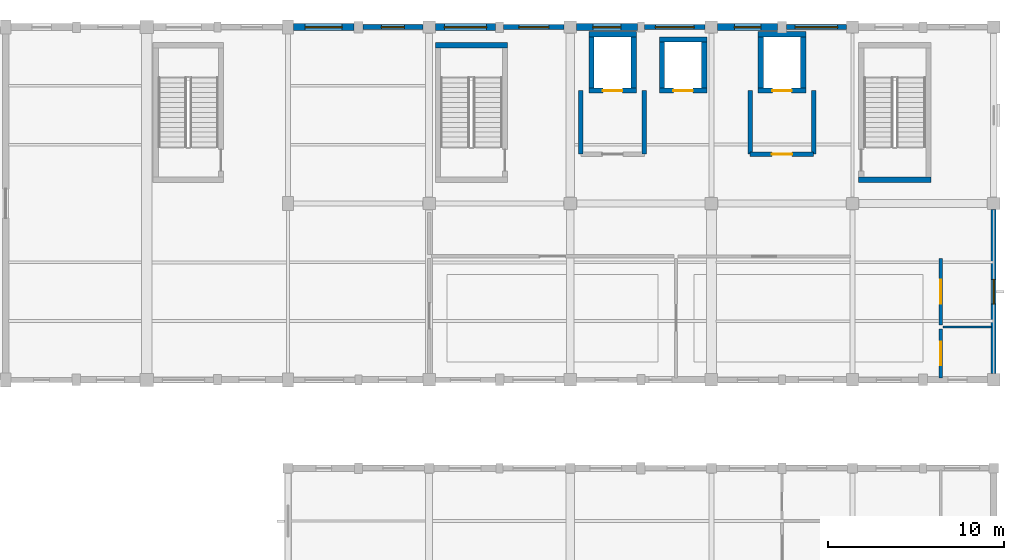
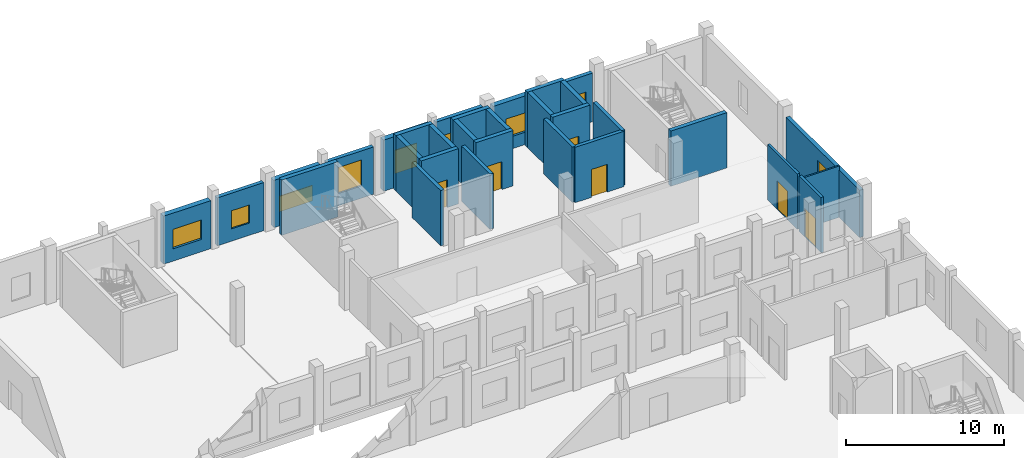
# One storey, part 50 of 77: 31 walls, 9 windows, 6 doors, 15 openings.
"""IFC4 building model written with IfcOpenShell, lengths in metres."""

from ifc_helpers import new_model, si_unit, direction, frame, frame_2d, origin, place, context, subcontext, project, spatial, rectangle, extrude, material, layer, layer_set, type_object, element, fill, save


model = new_model("IFC4")

# Units and contexts
model_context = context("Model", 3, precision=1e-05, world=origin(), true_north=direction((0.0, 1.0)))
body_context = subcontext(model_context, "Body", "Model", "MODEL_VIEW")
ifc_project = project(units=[si_unit("LENGTHUNIT", "METRE"), si_unit("AREAUNIT", "SQUARE_METRE"), si_unit("VOLUMEUNIT", "CUBIC_METRE"), si_unit("PLANEANGLEUNIT", "RADIAN"), si_unit("MASSUNIT", "GRAM", prefix="KILO")], contexts=[model_context])

# Site, building, storey
site_placement = place(None, origin())
site = spatial("IfcSite", under=ifc_project, at=site_placement, CompositionType="ELEMENT")
building_placement = place(site_placement, origin())
building = spatial("IfcBuilding", under=site, at=building_placement, Name="Luwemba Playhouse", CompositionType="ELEMENT")
storey_placement = place(building_placement, frame((0.0, 0.0, 9.300048828125)))
storey = spatial("IfcBuildingStorey", under=building, at=storey_placement, Name="L02", CompositionType="ELEMENT", Elevation=9.300048828125)

# Wall, opening, window
ifc_material_1 = material(Name="Clay facing brick obra vista masonry", Category="masonry")
ifc_layer_1 = layer(ifc_material_1, 0.3798828125)
ifc_layer_set_1 = layer_set([ifc_layer_1], Name="Clay facing brick obra vista masonry")
wall_type_1 = type_object("IfcWallType", Name="WAL-BRK-380", PredefinedType="SOLIDWALL", material=ifc_layer_set_1)
wall_1_placement = place(storey_placement, frame((132.300048828125, 115.0, 0.0), z_axis=(0.0, 0.0, 1.0), x_axis=(1.0, 0.0, 0.0)))
wall_1 = element("IfcWall", 1, at=wall_1_placement, inside=storey, type_object=wall_type_1, Name="L02 V6E exterior facade wall 0382", PredefinedType="SOLIDWALL", context=body_context, shape_type="SweptSolid", body=[
    extrude(rectangle(XDim=3.449951171875, YDim=0.3798828125, at=frame_2d((1.72509765625, 0.0))), origin(), (0.0, 0.0, 1.0), 3.704833984375),
])
opening_1_placement = place(wall_1_placement, frame((0.675048828125, 0.0, 0.949951171875)))
opening_1 = element("IfcOpeningElement", 2, at=opening_1_placement, cuts=wall_1, Name="Opening WN-11", PredefinedType="OPENING", context=body_context, shape_type="SweptSolid", body=[
    extrude(rectangle(XDim=2.10009765625, YDim=1.5, at=frame_2d((1.050048828125, 0.75))), frame((0.0, 0.199951171875, 0.0), z_axis=(0.0, -1.0, 0.0), x_axis=(1.0, 0.0, 0.0)), (0.0, 0.0, 1.0), 0.39990234375),
])
ifc_material_2 = material(Name="Solar-control double glazing in aluminium frame", Category="aluminium")
window_type_1 = type_object("IfcWindowType", Name="WIN-WN-11", PartitioningType="TRIPLE_PANEL_VERTICAL", PredefinedType="WINDOW", material=ifc_material_2)
window_1_placement = place(opening_1_placement, origin())
window_1 = element("IfcWindow", 3, at=window_1_placement, inside=storey, type_object=window_type_1, Name="L02 V6E scheduled window 0325", OverallHeight=1.5, OverallWidth=2.10009765625, PartitioningType="TRIPLE_PANEL_VERTICAL", PredefinedType="WINDOW", context=body_context, shape_type="SweptSolid", body=[
    extrude(rectangle(XDim=2.10009765625, YDim=1.5, at=frame_2d((1.050048828125, 0.75))), frame((0.0, 0.030029296875, 0.0), z_axis=(0.0, -1.0, 0.0), x_axis=(1.0, 0.0, 0.0)), (0.0, 0.0, 1.0), 0.06005859375),
])
fill(opening_1, window_1)

wall_2_placement = place(storey_placement, frame((140.35009765625, 115.0, 0.0), z_axis=(0.0, 0.0, 1.0), x_axis=(1.0, 0.0, 0.0)))
wall_2 = element("IfcWall", 4, at=wall_2_placement, inside=storey, type_object=wall_type_1, Name="L02 V6E exterior facade wall 0384", PredefinedType="SOLIDWALL", context=body_context, shape_type="SweptSolid", body=[
    extrude(rectangle(XDim=3.4248046875, YDim=0.3798828125, at=frame_2d((1.71240234375, 0.0))), origin(), (0.0, 0.0, 1.0), 3.655029296875),
])
opening_2_placement = place(wall_2_placement, frame((0.512451171875, 0.0, 0.949951171875)))
opening_2 = element("IfcOpeningElement", 5, at=opening_2_placement, cuts=wall_2, Name="Opening WN-17", PredefinedType="OPENING", context=body_context, shape_type="SweptSolid", body=[
    extrude(rectangle(XDim=2.39990234375, YDim=1.199951171875, at=frame_2d((1.199951171875, 0.60009765625))), frame((0.0, 0.199951171875, 0.0), z_axis=(0.0, -1.0, 0.0), x_axis=(1.0, 0.0, 0.0)), (0.0, 0.0, 1.0), 0.39990234375),
])
window_type_2 = type_object("IfcWindowType", Name="WIN-WN-17", PartitioningType="TRIPLE_PANEL_HORIZONTAL", PredefinedType="WINDOW", material=ifc_material_2)
window_2_placement = place(opening_2_placement, origin())
window_2 = element("IfcWindow", 6, at=window_2_placement, inside=storey, type_object=window_type_2, Name="L02 V6E scheduled window 0327", OverallHeight=1.199951171875, OverallWidth=2.39990234375, PartitioningType="TRIPLE_PANEL_HORIZONTAL", PredefinedType="WINDOW", context=body_context, shape_type="SweptSolid", body=[
    extrude(rectangle(XDim=2.39990234375, YDim=1.199951171875, at=frame_2d((1.199951171875, 0.60009765625))), frame((0.0, 0.030029296875, 0.0), z_axis=(0.0, -1.0, 0.0), x_axis=(1.0, 0.0, 0.0)), (0.0, 0.0, 1.0), 0.06005859375),
])
fill(opening_2, window_2)

wall_3_placement = place(storey_placement, frame((148.35009765625, 115.0, 0.0), z_axis=(0.0, 0.0, 1.0), x_axis=(1.0, 0.0, 0.0)))
wall_3 = element("IfcWall", 7, at=wall_3_placement, inside=storey, type_object=wall_type_1, Name="L02 V6E exterior facade wall 0386", PredefinedType="SOLIDWALL", context=body_context, shape_type="SweptSolid", body=[
    extrude(rectangle(XDim=3.449951171875, YDim=0.3798828125, at=frame_2d((1.72509765625, 0.0))), origin(), (0.0, 0.0, 1.0), 3.954833984375),
])
opening_3_placement = place(wall_3_placement, frame((0.925048828125, 0.0, 0.949951171875)))
opening_3 = element("IfcOpeningElement", 8, at=opening_3_placement, cuts=wall_3, Name="Opening WN-03", PredefinedType="OPENING", context=body_context, shape_type="SweptSolid", body=[
    extrude(rectangle(XDim=1.60009765625, YDim=1.800048828125, at=frame_2d((0.800048828125, 0.89990234375))), frame((0.0, 0.199951171875, 0.0), z_axis=(0.0, -1.0, 0.0), x_axis=(1.0, 0.0, 0.0)), (0.0, 0.0, 1.0), 0.39990234375),
])
window_type_3 = type_object("IfcWindowType", Name="WIN-WN-03", PartitioningType="DOUBLE_PANEL_VERTICAL", PredefinedType="WINDOW", material=ifc_material_2)
window_3_placement = place(opening_3_placement, origin())
window_3 = element("IfcWindow", 9, at=window_3_placement, inside=storey, type_object=window_type_3, Name="L02 V6E scheduled window 0329", OverallHeight=1.800048828125, OverallWidth=1.60009765625, PartitioningType="DOUBLE_PANEL_VERTICAL", PredefinedType="WINDOW", context=body_context, shape_type="SweptSolid", body=[
    extrude(rectangle(XDim=1.60009765625, YDim=1.800048828125, at=frame_2d((0.800048828125, 0.89990234375))), frame((0.0, 0.030029296875, 0.0), z_axis=(0.0, -1.0, 0.0), x_axis=(1.0, 0.0, 0.0)), (0.0, 0.0, 1.0), 0.06005859375),
])
fill(opening_3, window_3)

wall_4_placement = place(storey_placement, frame((156.35009765625, 115.0, 0.0), z_axis=(0.0, 0.0, 1.0), x_axis=(1.0, 0.0, 0.0)))
wall_4 = element("IfcWall", 10, at=wall_4_placement, inside=storey, type_object=wall_type_1, Name="L02 V6E exterior facade wall 0388", PredefinedType="SOLIDWALL", context=body_context, shape_type="SweptSolid", body=[
    extrude(rectangle(XDim=3.39990234375, YDim=0.3798828125, at=frame_2d((1.699951171875, 0.0))), origin(), (0.0, 0.0, 1.0), 3.7548828125),
])
opening_4_placement = place(wall_4_placement, frame((0.949951171875, 0.0, 0.949951171875)))
opening_4 = element("IfcOpeningElement", 11, at=opening_4_placement, cuts=wall_4, Name="Opening WN-09", PredefinedType="OPENING", context=body_context, shape_type="SweptSolid", body=[
    extrude(rectangle(XDim=1.5, YDim=1.5, at=frame_2d((0.75, 0.75))), frame((0.0, 0.199951171875, 0.0), z_axis=(0.0, -1.0, 0.0), x_axis=(1.0, 0.0, 0.0)), (0.0, 0.0, 1.0), 0.39990234375),
])
window_type_4 = type_object("IfcWindowType", Name="WIN-WN-09", PartitioningType="DOUBLE_PANEL_VERTICAL", PredefinedType="WINDOW", material=ifc_material_2)
window_4_placement = place(opening_4_placement, origin())
window_4 = element("IfcWindow", 12, at=window_4_placement, inside=storey, type_object=window_type_4, Name="L02 V6E scheduled window 0331", OverallHeight=1.5, OverallWidth=1.5, PartitioningType="DOUBLE_PANEL_VERTICAL", PredefinedType="WINDOW", context=body_context, shape_type="SweptSolid", body=[
    extrude(rectangle(XDim=1.5, YDim=1.5, at=frame_2d((0.75, 0.75))), frame((0.0, 0.030029296875, 0.0), z_axis=(0.0, -1.0, 0.0), x_axis=(1.0, 0.0, 0.0)), (0.0, 0.0, 1.0), 0.06005859375),
])
fill(opening_4, window_4)

# Walls
ifc_material_3 = material(Name="Concrete C40/50", Category="concrete")
ifc_layer_2 = layer(ifc_material_3, 0.300048828125)
ifc_layer_set_2 = layer_set([ifc_layer_2], Name="Concrete C40/50")
wall_type_2 = type_object("IfcWallType", Name="WAL-CORE-300", PredefinedType="SHEAR", material=ifc_layer_set_2)
for number, where, z_axis, x_axis, name in (
    (13, (144.449951171875, 113.969970703125, 0.0), (0.0, 0.0, 1.0), (-1.0, 0.0, 0.0), "L02 ST-09 stair core wall N"),
    (14, (164.35009765625, 106.35009765625, 0.0), (0.0, 0.0, 1.0), (1.0, 0.0, 0.0), "L02 ST-10 stair core wall S"),
):
    element("IfcWall", number, at=place(storey_placement, frame(where, z_axis=z_axis, x_axis=x_axis)), inside=storey, type_object=wall_type_2, Name=name, PredefinedType="SHEAR", context=body_context, shape_type="SweptSolid", body=[
        extrude(rectangle(XDim=4.099853515625, YDim=0.300048828125, at=frame_2d((2.0498046875, 0.0))), origin(), (0.0, 0.0, 1.0), 4.27001953125),
    ])

# Wall, opening, door
wall_5_placement = place(storey_placement, frame((149.050048828125, 111.39990234375, 0.0), z_axis=(0.0, 0.0, 1.0), x_axis=(1.0, 0.0, 0.0)))
wall_5 = element("IfcWall", 15, at=wall_5_placement, inside=storey, type_object=wall_type_2, Name="L02 Lift LF-FF1 shaft wall S", PredefinedType="SHEAR", context=body_context, shape_type="SweptSolid", body=[
    extrude(rectangle(XDim=2.699951171875, YDim=0.300048828125, at=frame_2d((1.35009765625, 0.0))), origin(), (0.0, 0.0, 1.0), 4.27001953125),
])
opening_5_placement = place(wall_5_placement, frame((0.800048828125, 0.0, 0.0)))
opening_5 = element("IfcOpeningElement", 16, at=opening_5_placement, cuts=wall_5, Name="Opening LD-01", PredefinedType="OPENING", context=body_context, shape_type="SweptSolid", body=[
    extrude(rectangle(XDim=1.10009765625, YDim=2.14990234375, at=frame_2d((0.550048828125, 1.074951171875))), frame((0.0, 0.159912109375, 0.0), z_axis=(0.0, -1.0, 0.0), x_axis=(1.0, 0.0, 0.0)), (0.0, 0.0, 1.0), 0.320068359375),
])
ifc_material_4 = material(Name="Stainless steel lift landing doors", Category="steel")
door_type_1 = type_object("IfcDoorType", Name="DR-LIFT-110", OperationType="NOTDEFINED", PredefinedType="DOOR", material=ifc_material_4)
door_1_placement = place(opening_5_placement, origin())
door_1 = element("IfcDoor", 17, at=door_1_placement, inside=storey, type_object=door_type_1, Name="L02 Lift LF-FF1 landing door", OperationType="DOUBLE_DOOR_SLIDING", OverallHeight=2.14990234375, OverallWidth=1.10009765625, PredefinedType="DOOR", context=body_context, shape_type="SweptSolid", body=[
    extrude(rectangle(XDim=1.10009765625, YDim=2.14990234375, at=frame_2d((0.550048828125, 1.074951171875))), frame((0.0, 0.02490234375, 0.0), z_axis=(0.0, -1.0, 0.0), x_axis=(1.0, 0.0, 0.0)), (0.0, 0.0, 1.0), 0.050048828125),
])
fill(opening_5, door_1)

# Walls
wall_6_placement = place(storey_placement, frame((151.75, 114.60009765625, 0.0), z_axis=(0.0, 0.0, 1.0), x_axis=(-1.0, 0.0, 0.0)))
element("IfcWall", 18, at=wall_6_placement, inside=storey, type_object=wall_type_2, Name="L02 Lift LF-FF1 shaft wall N", PredefinedType="SHEAR", context=body_context, shape_type="SweptSolid", body=[
    extrude(rectangle(XDim=2.699951171875, YDim=0.300048828125, at=frame_2d((1.35009765625, 0.0))), origin(), (0.0, 0.0, 1.0), 4.27001953125),
])
for number, where, z_axis, x_axis, name in (
    (19, (149.199951171875, 111.550048828125, 0.0), (0.0, 0.0, 1.0), (0.0, 1.0, 0.0), "L02 Lift LF-FF1 shaft wall W"),
    (20, (151.60009765625, 114.449951171875, 0.0), (0.0, 0.0, 1.0), (0.0, -1.0, 0.0), "L02 Lift LF-FF1 shaft wall E"),
):
    element("IfcWall", number, at=place(storey_placement, frame(where, z_axis=z_axis, x_axis=x_axis)), inside=storey, type_object=wall_type_2, Name=name, PredefinedType="SHEAR", context=body_context, shape_type="SweptSolid", body=[
        extrude(rectangle(XDim=2.89990234375, YDim=0.300048828125, at=frame_2d((1.449951171875, 0.0))), origin(), (0.0, 0.0, 1.0), 4.27001953125),
    ])

# Wall, opening, door
wall_7_placement = place(storey_placement, frame((158.64990234375, 111.39990234375, 0.0), z_axis=(0.0, 0.0, 1.0), x_axis=(1.0, 0.0, 0.0)))
wall_7 = element("IfcWall", 21, at=wall_7_placement, inside=storey, type_object=wall_type_2, Name="L02 Lift LF-FF2 shaft wall S", PredefinedType="SHEAR", context=body_context, shape_type="SweptSolid", body=[
    extrude(rectangle(XDim=2.7001953125, YDim=0.300048828125, at=frame_2d((1.35009765625, 0.0))), origin(), (0.0, 0.0, 1.0), 4.27001953125),
])
opening_6_placement = place(wall_7_placement, frame((0.800048828125, 0.0, 0.0)))
opening_6 = element("IfcOpeningElement", 22, at=opening_6_placement, cuts=wall_7, Name="Opening LD-01", PredefinedType="OPENING", context=body_context, shape_type="SweptSolid", body=[
    extrude(rectangle(XDim=1.10009765625, YDim=2.14990234375, at=frame_2d((0.550048828125, 1.074951171875))), frame((0.0, 0.159912109375, 0.0), z_axis=(0.0, -1.0, 0.0), x_axis=(1.0, 0.0, 0.0)), (0.0, 0.0, 1.0), 0.320068359375),
])
door_2_placement = place(opening_6_placement, origin())
door_2 = element("IfcDoor", 23, at=door_2_placement, inside=storey, type_object=door_type_1, Name="L02 Lift LF-FF2 landing door", OperationType="DOUBLE_DOOR_SLIDING", OverallHeight=2.14990234375, OverallWidth=1.10009765625, PredefinedType="DOOR", context=body_context, shape_type="SweptSolid", body=[
    extrude(rectangle(XDim=1.10009765625, YDim=2.14990234375, at=frame_2d((0.550048828125, 1.074951171875))), frame((0.0, 0.02490234375, 0.0), z_axis=(0.0, -1.0, 0.0), x_axis=(1.0, 0.0, 0.0)), (0.0, 0.0, 1.0), 0.050048828125),
])
fill(opening_6, door_2)

# Walls
wall_8_placement = place(storey_placement, frame((161.35009765625, 114.60009765625, 0.0), z_axis=(0.0, 0.0, 1.0), x_axis=(-1.0, 0.0, 0.0)))
element("IfcWall", 24, at=wall_8_placement, inside=storey, type_object=wall_type_2, Name="L02 Lift LF-FF2 shaft wall N", PredefinedType="SHEAR", context=body_context, shape_type="SweptSolid", body=[
    extrude(rectangle(XDim=2.7001953125, YDim=0.300048828125, at=frame_2d((1.35009765625, 0.0))), origin(), (0.0, 0.0, 1.0), 4.27001953125),
])
for number, where, z_axis, x_axis, name in (
    (25, (158.800048828125, 111.550048828125, 0.0), (0.0, 0.0, 1.0), (0.0, 1.0, 0.0), "L02 Lift LF-FF2 shaft wall W"),
    (26, (161.199951171875, 114.449951171875, 0.0), (0.0, 0.0, 1.0), (0.0, -1.0, 0.0), "L02 Lift LF-FF2 shaft wall E"),
):
    element("IfcWall", number, at=place(storey_placement, frame(where, z_axis=z_axis, x_axis=x_axis)), inside=storey, type_object=wall_type_2, Name=name, PredefinedType="SHEAR", context=body_context, shape_type="SweptSolid", body=[
        extrude(rectangle(XDim=2.89990234375, YDim=0.300048828125, at=frame_2d((1.449951171875, 0.0))), origin(), (0.0, 0.0, 1.0), 4.27001953125),
    ])

# Wall, opening, door
wall_9_placement = place(storey_placement, frame((153.050048828125, 111.39990234375, 0.0), z_axis=(0.0, 0.0, 1.0), x_axis=(1.0, 0.0, 0.0)))
wall_9 = element("IfcWall", 27, at=wall_9_placement, inside=storey, type_object=wall_type_2, Name="L02 Lift LF-P6 shaft wall S", PredefinedType="SHEAR", context=body_context, shape_type="SweptSolid", body=[
    extrude(rectangle(XDim=2.699951171875, YDim=0.300048828125, at=frame_2d((1.35009765625, 0.0))), origin(), (0.0, 0.0, 1.0), 4.27001953125),
])
opening_7_placement = place(wall_9_placement, frame((0.800048828125, 0.0, 0.0)))
opening_7 = element("IfcOpeningElement", 28, at=opening_7_placement, cuts=wall_9, Name="Opening LD-01", PredefinedType="OPENING", context=body_context, shape_type="SweptSolid", body=[
    extrude(rectangle(XDim=1.10009765625, YDim=2.14990234375, at=frame_2d((0.550048828125, 1.074951171875))), frame((0.0, 0.159912109375, 0.0), z_axis=(0.0, -1.0, 0.0), x_axis=(1.0, 0.0, 0.0)), (0.0, 0.0, 1.0), 0.320068359375),
])
door_3_placement = place(opening_7_placement, origin())
door_3 = element("IfcDoor", 29, at=door_3_placement, inside=storey, type_object=door_type_1, Name="L02 Lift LF-P6 landing door", OperationType="DOUBLE_DOOR_SLIDING", OverallHeight=2.14990234375, OverallWidth=1.10009765625, PredefinedType="DOOR", context=body_context, shape_type="SweptSolid", body=[
    extrude(rectangle(XDim=1.10009765625, YDim=2.14990234375, at=frame_2d((0.550048828125, 1.074951171875))), frame((0.0, 0.02490234375, 0.0), z_axis=(0.0, -1.0, 0.0), x_axis=(1.0, 0.0, 0.0)), (0.0, 0.0, 1.0), 0.050048828125),
])
fill(opening_7, door_3)

# Walls
wall_10_placement = place(storey_placement, frame((155.75, 114.300048828125, 0.0), z_axis=(0.0, 0.0, 1.0), x_axis=(-1.0, 0.0, 0.0)))
element("IfcWall", 30, at=wall_10_placement, inside=storey, type_object=wall_type_2, Name="L02 Lift LF-P6 shaft wall N", PredefinedType="SHEAR", context=body_context, shape_type="SweptSolid", body=[
    extrude(rectangle(XDim=2.699951171875, YDim=0.300048828125, at=frame_2d((1.35009765625, 0.0))), origin(), (0.0, 0.0, 1.0), 4.27001953125),
])
for number, where, z_axis, x_axis, name in (
    (31, (153.199951171875, 111.550048828125, 0.0), (0.0, 0.0, 1.0), (0.0, 1.0, 0.0), "L02 Lift LF-P6 shaft wall W"),
    (32, (155.60009765625, 114.14990234375, 0.0), (0.0, 0.0, 1.0), (0.0, -1.0, 0.0), "L02 Lift LF-P6 shaft wall E"),
):
    element("IfcWall", number, at=place(storey_placement, frame(where, z_axis=z_axis, x_axis=x_axis)), inside=storey, type_object=wall_type_2, Name=name, PredefinedType="SHEAR", context=body_context, shape_type="SweptSolid", body=[
        extrude(rectangle(XDim=2.599853515625, YDim=0.300048828125, at=frame_2d((1.2998046875, 0.0))), origin(), (0.0, 0.0, 1.0), 4.27001953125),
    ])
ifc_layer_3 = layer(ifc_material_3, 0.25)
ifc_layer_set_3 = layer_set([ifc_layer_3], Name="Concrete C40/50")
wall_type_3 = type_object("IfcWallType", Name="WAL-FFL-250", PredefinedType="SOLIDWALL", material=ifc_layer_set_3)
for number, where, z_axis, x_axis, name in (
    (33, (148.60009765625, 107.800048828125, 0.0), (0.0, 0.0, 1.0), (0.0, 1.0, 0.0), "L02 LF-FF1 firefighting lift lobby wall W"),
    (34, (152.199951171875, 111.39990234375, 0.0), (0.0, 0.0, 1.0), (0.0, -1.0, 0.0), "L02 LF-FF1 firefighting lift lobby wall E"),
):
    element("IfcWall", number, at=place(storey_placement, frame(where, z_axis=z_axis, x_axis=x_axis)), inside=storey, type_object=wall_type_3, Name=name, PredefinedType="SOLIDWALL", context=body_context, shape_type="SweptSolid", body=[
        extrude(rectangle(XDim=3.599853515625, YDim=0.25, at=frame_2d((1.7998046875, 0.0))), origin(), (0.0, 0.0, 1.0), 4.27001953125),
    ])

# Wall, opening, door
wall_11_placement = place(storey_placement, frame((161.800048828125, 107.800048828125, 0.0), z_axis=(0.0, 0.0, 1.0), x_axis=(-1.0, 0.0, 0.0)))
wall_11 = element("IfcWall", 35, at=wall_11_placement, inside=storey, type_object=wall_type_3, Name="L02 LF-FF2 firefighting lift lobby wall S", PredefinedType="SOLIDWALL", context=body_context, shape_type="SweptSolid", body=[
    extrude(rectangle(XDim=3.60009765625, YDim=0.25, at=frame_2d((1.800048828125, 0.0))), origin(), (0.0, 0.0, 1.0), 4.27001953125),
])
opening_8_placement = place(wall_11_placement, frame((1.22509765625, 0.0, 0.0)))
opening_8 = element("IfcOpeningElement", 36, at=opening_8_placement, cuts=wall_11, Name="Opening D-FD60", PredefinedType="OPENING", context=body_context, shape_type="SweptSolid", body=[
    extrude(rectangle(XDim=1.14990234375, YDim=2.14990234375, at=frame_2d((0.574951171875, 1.074951171875))), frame((0.0, 0.135009765625, 0.0), z_axis=(0.0, -1.0, 0.0), x_axis=(1.0, 0.0, 0.0)), (0.0, 0.0, 1.0), 0.27001953125),
])
ifc_material_5 = material(Name="Hardwood smoke-sealed fire door leaf", Category="wood")
door_type_2 = type_object("IfcDoorType", Name="DR-FFL-115", OperationType="NOTDEFINED", PredefinedType="DOOR", material=ifc_material_5)
door_4_placement = place(opening_8_placement, origin())
door_4 = element("IfcDoor", 37, at=door_4_placement, inside=storey, type_object=door_type_2, Name="L02 LF-FF2 firefighting lobby smoke door", OperationType="SINGLE_SWING_LEFT", OverallHeight=2.14990234375, OverallWidth=1.14990234375, PredefinedType="DOOR", context=body_context, shape_type="SweptSolid", body=[
    extrude(rectangle(XDim=1.14990234375, YDim=2.14990234375, at=frame_2d((0.574951171875, 1.074951171875))), frame((0.0, 0.02490234375, 0.0), z_axis=(0.0, -1.0, 0.0), x_axis=(1.0, 0.0, 0.0)), (0.0, 0.0, 1.0), 0.050048828125),
])
fill(opening_8, door_4)

# Walls
for number, where, z_axis, x_axis, name in (
    (38, (158.199951171875, 107.800048828125, 0.0), (0.0, 0.0, 1.0), (0.0, 1.0, 0.0), "L02 LF-FF2 firefighting lift lobby wall W"),
    (39, (161.800048828125, 111.39990234375, 0.0), (0.0, 0.0, 1.0), (0.0, -1.0, 0.0), "L02 LF-FF2 firefighting lift lobby wall E"),
):
    element("IfcWall", number, at=place(storey_placement, frame(where, z_axis=z_axis, x_axis=x_axis)), inside=storey, type_object=wall_type_3, Name=name, PredefinedType="SOLIDWALL", context=body_context, shape_type="SweptSolid", body=[
        extrude(rectangle(XDim=3.599853515625, YDim=0.25, at=frame_2d((1.7998046875, 0.0))), origin(), (0.0, 0.0, 1.0), 4.27001953125),
    ])
ifc_material_6 = material(Name="Moisture-resistant sanitary partition", Category="gypsum")
ifc_layer_4 = layer(ifc_material_6, 0.1201171875)
ifc_layer_set_4 = layer_set([ifc_layer_4], Name="Moisture-resistant sanitary partition")
wall_type_4 = type_object("IfcWallType", Name="WAL-INT-120", PredefinedType="PARTITIONING", material=ifc_layer_set_4)
wall_12_placement = place(storey_placement, frame((169.1201171875, 98.0, 0.0), z_axis=(0.0, 0.0, 1.0), x_axis=(1.0, 0.0, 0.0)))
element("IfcWall", 40, at=wall_12_placement, inside=storey, type_object=wall_type_4, Name="L02 V6E interior partition 0196", PredefinedType="PARTITIONING", context=body_context, shape_type="SweptSolid", body=[
    extrude(rectangle(XDim=2.759765625, YDim=0.1201171875, at=frame_2d((1.3798828125, 0.0))), origin(), (0.0, 0.0, 1.0), 3.954833984375),
])

# Wall, opening, door
ifc_material_7 = material(Name="Double-stud acoustic gypsum partition", Category="gypsum")
ifc_layer_5 = layer(ifc_material_7, 0.179931640625)
ifc_layer_set_5 = layer_set([ifc_layer_5], Name="Double-stud acoustic gypsum partition")
wall_type_5 = type_object("IfcWallType", Name="WAL-INT-180", PredefinedType="PARTITIONING", material=ifc_layer_set_5)
wall_13_placement = place(storey_placement, frame((169.0, 95.1201171875, 0.0), z_axis=(0.0, 0.0, 1.0), x_axis=(0.0, 1.0, 0.0)))
wall_13 = element("IfcWall", 41, at=wall_13_placement, inside=storey, type_object=wall_type_5, Name="L02 V6E interior partition 0194", PredefinedType="PARTITIONING", context=body_context, shape_type="SweptSolid", body=[
    extrude(rectangle(XDim=2.759765625, YDim=0.179931640625, at=frame_2d((1.3798828125, 0.0))), origin(), (0.0, 0.0, 1.0), 4.27001953125),
])
opening_9_placement = place(wall_13_placement, frame((0.705078125, 0.0, 0.0)))
opening_9 = element("IfcOpeningElement", 42, at=opening_9_placement, cuts=wall_13, Name="Opening D-STU1", PredefinedType="OPENING", context=body_context, shape_type="SweptSolid", body=[
    extrude(rectangle(XDim=1.35009765625, YDim=2.199951171875, at=frame_2d((0.675048828125, 1.10009765625))), frame((0.0, 0.099853515625, 0.0), z_axis=(0.0, -1.0, 0.0), x_axis=(1.0, 0.0, 0.0)), (0.0, 0.0, 1.0), 0.199951171875),
])
ifc_material_8 = material(Name="Acoustic studio door", Category="wood")
door_type_3 = type_object("IfcDoorType", Name="DR-STU-135", OperationType="NOTDEFINED", PredefinedType="DOOR", material=ifc_material_8)
door_5_placement = place(opening_9_placement, origin())
door_5 = element("IfcDoor", 43, at=door_5_placement, inside=storey, type_object=door_type_3, Name="L02 Vocal Coaching Suites to Conservatory Level 2 Accessible WC door", OperationType="SINGLE_SWING_RIGHT", OverallHeight=2.199951171875, OverallWidth=1.35009765625, PredefinedType="DOOR", context=body_context, shape_type="SweptSolid", body=[
    extrude(rectangle(XDim=1.35009765625, YDim=2.199951171875, at=frame_2d((0.675048828125, 1.10009765625))), frame((0.0, 0.02490234375, 0.0), z_axis=(0.0, -1.0, 0.0), x_axis=(1.0, 0.0, 0.0)), (0.0, 0.0, 1.0), 0.050048828125),
])
fill(opening_9, door_5)

wall_14_placement = place(storey_placement, frame((169.0, 98.1201171875, 0.0), z_axis=(0.0, 0.0, 1.0), x_axis=(0.0, 1.0, 0.0)))
wall_14 = element("IfcWall", 44, at=wall_14_placement, inside=storey, type_object=wall_type_5, Name="L02 V6E interior partition 0195", PredefinedType="PARTITIONING", context=body_context, shape_type="SweptSolid", body=[
    extrude(rectangle(XDim=3.759765625, YDim=0.179931640625, at=frame_2d((1.8798828125, 0.0))), origin(), (0.0, 0.0, 1.0), 4.27001953125),
])
opening_10_placement = place(wall_14_placement, frame((1.205078125, 0.0, 0.0)))
opening_10 = element("IfcOpeningElement", 45, at=opening_10_placement, cuts=wall_14, Name="Opening D-STU1", PredefinedType="OPENING", context=body_context, shape_type="SweptSolid", body=[
    extrude(rectangle(XDim=1.35009765625, YDim=2.199951171875, at=frame_2d((0.675048828125, 1.10009765625))), frame((0.0, 0.099853515625, 0.0), z_axis=(0.0, -1.0, 0.0), x_axis=(1.0, 0.0, 0.0)), (0.0, 0.0, 1.0), 0.199951171875),
])
door_6_placement = place(opening_10_placement, origin())
door_6 = element("IfcDoor", 46, at=door_6_placement, inside=storey, type_object=door_type_3, Name="L02 Vocal Coaching Suites to Conservatory Level 2 Toilets door", OperationType="SINGLE_SWING_LEFT", OverallHeight=2.199951171875, OverallWidth=1.35009765625, PredefinedType="DOOR", context=body_context, shape_type="SweptSolid", body=[
    extrude(rectangle(XDim=1.35009765625, YDim=2.199951171875, at=frame_2d((0.675048828125, 1.10009765625))), frame((0.0, 0.02490234375, 0.0), z_axis=(0.0, -1.0, 0.0), x_axis=(1.0, 0.0, 0.0)), (0.0, 0.0, 1.0), 0.050048828125),
])
fill(opening_10, door_6)

# Wall, opening, window
ifc_material_9 = material(Name="Structural timber GL24h infill", Category="wood")
ifc_layer_6 = layer(ifc_material_9, 0.280029296875)
ifc_layer_set_6 = layer_set([ifc_layer_6], Name="Structural timber GL24h infill")
wall_type_6 = type_object("IfcWallType", Name="WAL-TIM-280", PredefinedType="SOLIDWALL", material=ifc_layer_set_6)
wall_15_placement = place(storey_placement, frame((136.25, 115.0, 0.0), z_axis=(0.0, 0.0, 1.0), x_axis=(1.0, 0.0, 0.0)))
wall_15 = element("IfcWall", 47, at=wall_15_placement, inside=storey, type_object=wall_type_6, Name="L02 V6E exterior facade wall 0383", PredefinedType="SOLIDWALL", context=body_context, shape_type="SweptSolid", body=[
    extrude(rectangle(XDim=3.39990234375, YDim=0.280029296875, at=frame_2d((1.699951171875, 0.0))), origin(), (0.0, 0.0, 1.0), 3.704833984375),
])
opening_11_placement = place(wall_15_placement, frame((1.050048828125, 0.0, 0.949951171875)))
opening_11 = element("IfcOpeningElement", 48, at=opening_11_placement, cuts=wall_15, Name="Opening WN-14", PredefinedType="OPENING", context=body_context, shape_type="SweptSolid", body=[
    extrude(rectangle(XDim=1.300048828125, YDim=1.39990234375, at=frame_2d((0.64990234375, 0.699951171875))), frame((0.0, 0.14990234375, 0.0), z_axis=(0.0, -1.0, 0.0), x_axis=(1.0, 0.0, 0.0)), (0.0, 0.0, 1.0), 0.300048828125),
])
window_type_5 = type_object("IfcWindowType", Name="WIN-WN-14", PartitioningType="SINGLE_PANEL", PredefinedType="WINDOW", material=ifc_material_2)
window_5_placement = place(opening_11_placement, origin())
window_5 = element("IfcWindow", 49, at=window_5_placement, inside=storey, type_object=window_type_5, Name="L02 V6E scheduled window 0326", OverallHeight=1.39990234375, OverallWidth=1.300048828125, PartitioningType="SINGLE_PANEL", PredefinedType="WINDOW", context=body_context, shape_type="SweptSolid", body=[
    extrude(rectangle(XDim=1.300048828125, YDim=1.39990234375, at=frame_2d((0.64990234375, 0.699951171875))), frame((0.0, 0.030029296875, 0.0), z_axis=(0.0, -1.0, 0.0), x_axis=(1.0, 0.0, 0.0)), (0.0, 0.0, 1.0), 0.06005859375),
])
fill(opening_11, window_5)

wall_16_placement = place(storey_placement, frame((144.22509765625, 115.0, 0.0), z_axis=(0.0, 0.0, 1.0), x_axis=(1.0, 0.0, 0.0)))
wall_16 = element("IfcWall", 50, at=wall_16_placement, inside=storey, type_object=wall_type_6, Name="L02 V6E exterior facade wall 0385", PredefinedType="SOLIDWALL", context=body_context, shape_type="SweptSolid", body=[
    extrude(rectangle(XDim=3.4248046875, YDim=0.280029296875, at=frame_2d((1.71240234375, 0.0))), origin(), (0.0, 0.0, 1.0), 3.655029296875),
])
opening_12_placement = place(wall_16_placement, frame((0.862548828125, 0.0, 0.949951171875)))
opening_12 = element("IfcOpeningElement", 51, at=opening_12_placement, cuts=wall_16, Name="Opening WN-20", PredefinedType="OPENING", context=body_context, shape_type="SweptSolid", body=[
    extrude(rectangle(XDim=1.699951171875, YDim=2.0, at=frame_2d((0.85009765625, 1.0))), frame((0.0, 0.14990234375, 0.0), z_axis=(0.0, -1.0, 0.0), x_axis=(1.0, 0.0, 0.0)), (0.0, 0.0, 1.0), 0.300048828125),
])
window_type_6 = type_object("IfcWindowType", Name="WIN-WN-20", PartitioningType="DOUBLE_PANEL_VERTICAL", PredefinedType="WINDOW", material=ifc_material_2)
window_6_placement = place(opening_12_placement, origin())
window_6 = element("IfcWindow", 52, at=window_6_placement, inside=storey, type_object=window_type_6, Name="L02 V6E scheduled window 0328", OverallHeight=2.0, OverallWidth=1.699951171875, PartitioningType="DOUBLE_PANEL_VERTICAL", PredefinedType="WINDOW", context=body_context, shape_type="SweptSolid", body=[
    extrude(rectangle(XDim=1.699951171875, YDim=2.0, at=frame_2d((0.85009765625, 1.0))), frame((0.0, 0.030029296875, 0.0), z_axis=(0.0, -1.0, 0.0), x_axis=(1.0, 0.0, 0.0)), (0.0, 0.0, 1.0), 0.06005859375),
])
fill(opening_12, window_6)

wall_17_placement = place(storey_placement, frame((152.199951171875, 115.0, 0.0), z_axis=(0.0, 0.0, 1.0), x_axis=(1.0, 0.0, 0.0)))
wall_17 = element("IfcWall", 53, at=wall_17_placement, inside=storey, type_object=wall_type_6, Name="L02 V6E exterior facade wall 0387", PredefinedType="SOLIDWALL", context=body_context, shape_type="SweptSolid", body=[
    extrude(rectangle(XDim=3.449951171875, YDim=0.280029296875, at=frame_2d((1.72509765625, 0.0))), origin(), (0.0, 0.0, 1.0), 3.954833984375),
])
opening_13_placement = place(wall_17_placement, frame((0.625, 0.0, 0.949951171875)))
opening_13 = element("IfcOpeningElement", 54, at=opening_13_placement, cuts=wall_17, Name="Opening WN-06", PredefinedType="OPENING", context=body_context, shape_type="SweptSolid", body=[
    extrude(rectangle(XDim=2.199951171875, YDim=1.800048828125, at=frame_2d((1.10009765625, 0.89990234375))), frame((0.0, 0.14990234375, 0.0), z_axis=(0.0, -1.0, 0.0), x_axis=(1.0, 0.0, 0.0)), (0.0, 0.0, 1.0), 0.300048828125),
])
window_type_7 = type_object("IfcWindowType", Name="WIN-WN-06", PartitioningType="TRIPLE_PANEL_VERTICAL", PredefinedType="WINDOW", material=ifc_material_2)
window_7_placement = place(opening_13_placement, origin())
window_7 = element("IfcWindow", 55, at=window_7_placement, inside=storey, type_object=window_type_7, Name="L02 V6E scheduled window 0330", OverallHeight=1.800048828125, OverallWidth=2.199951171875, PartitioningType="TRIPLE_PANEL_VERTICAL", PredefinedType="WINDOW", context=body_context, shape_type="SweptSolid", body=[
    extrude(rectangle(XDim=2.199951171875, YDim=1.800048828125, at=frame_2d((1.10009765625, 0.89990234375))), frame((0.0, 0.030029296875, 0.0), z_axis=(0.0, -1.0, 0.0), x_axis=(1.0, 0.0, 0.0)), (0.0, 0.0, 1.0), 0.06005859375),
])
fill(opening_13, window_7)

wall_18_placement = place(storey_placement, frame((160.25, 115.0, 0.0), z_axis=(0.0, 0.0, 1.0), x_axis=(1.0, 0.0, 0.0)))
wall_18 = element("IfcWall", 56, at=wall_18_placement, inside=storey, type_object=wall_type_6, Name="L02 V6E exterior facade wall 0389", PredefinedType="SOLIDWALL", context=body_context, shape_type="SweptSolid", body=[
    extrude(rectangle(XDim=3.39990234375, YDim=0.280029296875, at=frame_2d((1.699951171875, 0.0))), origin(), (0.0, 0.0, 1.0), 3.7548828125),
])
opening_14_placement = place(wall_18_placement, frame((0.5, 0.0, 0.949951171875)))
opening_14 = element("IfcOpeningElement", 57, at=opening_14_placement, cuts=wall_18, Name="Opening WN-12", PredefinedType="OPENING", context=body_context, shape_type="SweptSolid", body=[
    extrude(rectangle(XDim=2.39990234375, YDim=1.5, at=frame_2d((1.199951171875, 0.75))), frame((0.0, 0.14990234375, 0.0), z_axis=(0.0, -1.0, 0.0), x_axis=(1.0, 0.0, 0.0)), (0.0, 0.0, 1.0), 0.300048828125),
])
window_type_8 = type_object("IfcWindowType", Name="WIN-WN-12", PartitioningType="TRIPLE_PANEL_VERTICAL", PredefinedType="WINDOW", material=ifc_material_2)
window_8_placement = place(opening_14_placement, origin())
window_8 = element("IfcWindow", 58, at=window_8_placement, inside=storey, type_object=window_type_8, Name="L02 V6E scheduled window 0332", OverallHeight=1.5, OverallWidth=2.39990234375, PartitioningType="TRIPLE_PANEL_VERTICAL", PredefinedType="WINDOW", context=body_context, shape_type="SweptSolid", body=[
    extrude(rectangle(XDim=2.39990234375, YDim=1.5, at=frame_2d((1.199951171875, 0.75))), frame((0.0, 0.030029296875, 0.0), z_axis=(0.0, -1.0, 0.0), x_axis=(1.0, 0.0, 0.0)), (0.0, 0.0, 1.0), 0.06005859375),
])
fill(opening_14, window_8)

wall_19_placement = place(storey_placement, frame((172.0, 104.64990234375, 0.0), z_axis=(0.0, 0.0, 1.0), x_axis=(0.0, -1.0, 0.0)))
wall_19 = element("IfcWall", 59, at=wall_19_placement, inside=storey, type_object=wall_type_6, Name="L02 V6E exterior facade wall 0393", PredefinedType="SOLIDWALL", context=body_context, shape_type="SweptSolid", body=[
    extrude(rectangle(XDim=9.2998046875, YDim=0.280029296875, at=frame_2d((4.64990234375, 0.0))), origin(), (0.0, 0.0, 1.0), 3.655029296875),
])
opening_15_placement = place(wall_19_placement, frame((3.949951171875, 0.0, 0.949951171875)))
opening_15 = element("IfcOpeningElement", 60, at=opening_15_placement, cuts=wall_19, Name="Opening WN-02", PredefinedType="OPENING", context=body_context, shape_type="SweptSolid", body=[
    extrude(rectangle(XDim=1.39990234375, YDim=1.800048828125, at=frame_2d((0.699951171875, 0.89990234375))), frame((0.0, 0.14990234375, 0.0), z_axis=(0.0, -1.0, 0.0), x_axis=(1.0, 0.0, 0.0)), (0.0, 0.0, 1.0), 0.300048828125),
])
window_type_9 = type_object("IfcWindowType", Name="WIN-WN-02", PartitioningType="DOUBLE_PANEL_VERTICAL", PredefinedType="WINDOW", material=ifc_material_2)
window_9_placement = place(opening_15_placement, origin())
window_9 = element("IfcWindow", 61, at=window_9_placement, inside=storey, type_object=window_type_9, Name="L02 V6E scheduled window 0336", OverallHeight=1.800048828125, OverallWidth=1.39990234375, PartitioningType="DOUBLE_PANEL_VERTICAL", PredefinedType="WINDOW", context=body_context, shape_type="SweptSolid", body=[
    extrude(rectangle(XDim=1.39990234375, YDim=1.800048828125, at=frame_2d((0.699951171875, 0.89990234375))), frame((0.0, 0.030029296875, 0.0), z_axis=(0.0, -1.0, 0.0), x_axis=(1.0, 0.0, 0.0)), (0.0, 0.0, 1.0), 0.06005859375),
])
fill(opening_15, window_9)

save(model, "model.ifc")
